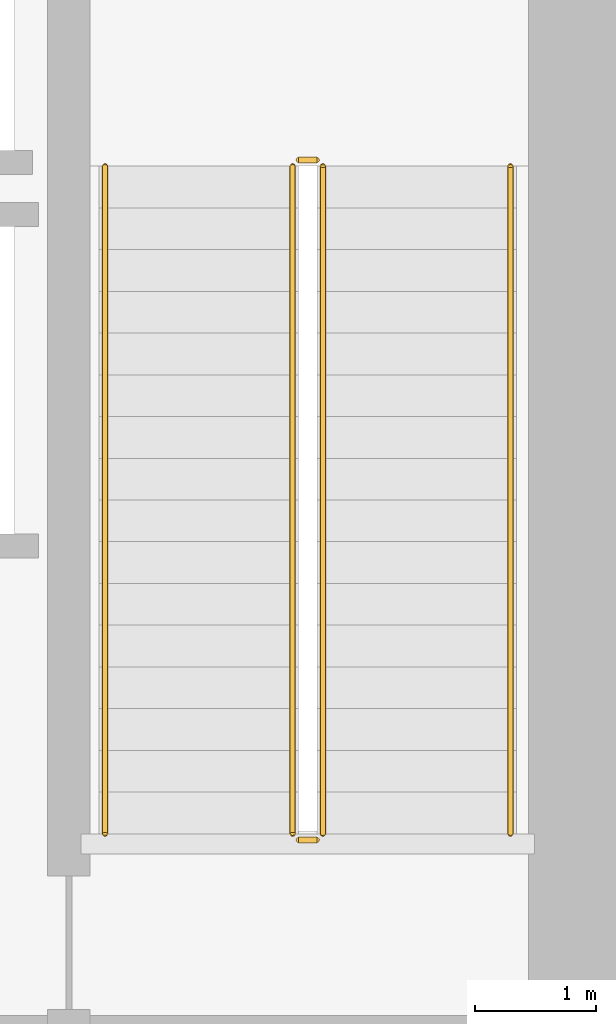
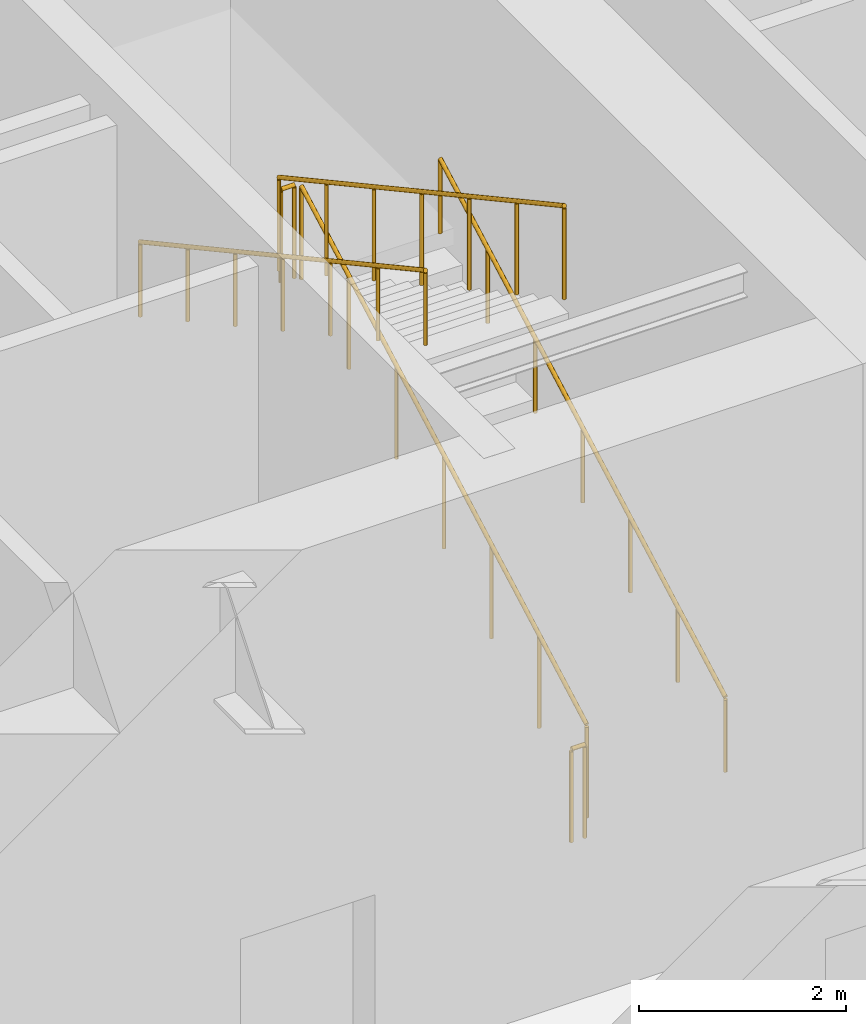
# One storey, part 48 of 50: 6 railings.
"""IFC4 building model written with IfcOpenShell, lengths in metres."""

from ifc_helpers import new_model, si_unit, direction, frame, origin, origin_2d, place, context, subcontext, project, spatial, circle, extrude, material, type_object, element, save


model = new_model("IFC4")

# Units and contexts
model_context = context("Model", 3, precision=1e-05, world=origin(), true_north=direction((0.0, 1.0)))
body_context = subcontext(model_context, "Body", "Model", "MODEL_VIEW")
ifc_project = project(units=[si_unit("LENGTHUNIT", "METRE"), si_unit("AREAUNIT", "SQUARE_METRE"), si_unit("VOLUMEUNIT", "CUBIC_METRE"), si_unit("PLANEANGLEUNIT", "RADIAN"), si_unit("MASSUNIT", "GRAM", prefix="KILO")], contexts=[model_context])

# Site, building, storey
site_placement = place(None, origin())
site = spatial("IfcSite", under=ifc_project, at=site_placement, CompositionType="ELEMENT")
building_placement = place(site_placement, origin())
building = spatial("IfcBuilding", under=site, at=building_placement, Name="Tolvann Quenvar Hotel", CompositionType="ELEMENT")
storey_placement = place(building_placement, frame((0.0, 0.0, 16.0)))
storey = spatial("IfcBuildingStorey", under=building, at=storey_placement, Name="L03", CompositionType="ELEMENT", Elevation=16.0)

# Railings
ifc_material = material(Name="Brushed 316 stainless steel balustrade and handrail", Category="steel")
railing_type_1 = type_object("IfcRailingType", Name="GUARDRAIL", PredefinedType="GUARDRAIL", material=ifc_material)
railing_1_placement = place(storey_placement, frame((33.800048828125, 34.0, 0.188232421875)))
element("IfcRailing", 1, at=railing_1_placement, inside=storey, type_object=railing_type_1, Name="L03 ST-C2 stair guard 1", PredefinedType="GUARDRAIL", context=body_context, shape_type="SweptSolid", body=[
    extrude(circle(Radius=0.02392578125, at=origin_2d()), frame((0.0, 0.0, 1.09619140625), z_axis=(0.0, 0.877842151624, 0.47895005672), x_axis=(-1.0, 0.0, 0.0)), (0.0, 0.0, 1.0), 6.2880859375),
    extrude(circle(Radius=0.02099609375, at=origin_2d()), origin(), (0.0, 0.0, 1.0), 1.072021484375),
    extrude(circle(Radius=0.02099609375, at=origin_2d()), frame((0.0, 0.919921875, 0.501953125)), (0.0, 0.0, 1.0), 1.072021484375),
    extrude(circle(Radius=0.02099609375, at=origin_2d()), frame((0.0, 1.840087890625, 1.00390625)), (0.0, 0.0, 1.0), 1.072021484375),
    extrude(circle(Radius=0.02099609375, at=origin_2d()), frame((0.0, 2.760009765625, 1.505859375)), (0.0, 0.0, 1.0), 1.072021484375),
    extrude(circle(Radius=0.02099609375, at=origin_2d()), frame((0.0, 3.679931640625, 2.0078125)), (0.0, 0.0, 1.0), 1.072021484375),
    extrude(circle(Radius=0.02099609375, at=origin_2d()), frame((0.0, 4.60009765625, 2.509765625)), (0.0, 0.0, 1.0), 1.072021484375),
    extrude(circle(Radius=0.02099609375, at=origin_2d()), frame((0.0, 5.52001953125, 3.01171875)), (0.0, 0.0, 1.0), 1.072021484375),
])
railing_2_placement = place(storey_placement, frame((33.75, 39.570068359375, 3.199951171875)))
element("IfcRailing", 2, at=railing_2_placement, inside=storey, type_object=railing_type_1, Name="L03 ST-C2 stair guard 2", PredefinedType="GUARDRAIL", context=body_context, shape_type="SweptSolid", body=[
    extrude(circle(Radius=0.02392578125, at=origin_2d()), frame((0.0, 0.0, 1.09619140625), z_axis=(-1.0, 0.0, 0.0), x_axis=(0.0, -1.0, 0.0)), (0.0, 0.0, 1.0), 0.14990234375),
    extrude(circle(Radius=0.02099609375, at=origin_2d()), origin(), (0.0, 0.0, 1.0), 1.072021484375),
    extrude(circle(Radius=0.02099609375, at=origin_2d()), frame((-0.14990234375, 0.0, 0.0)), (0.0, 0.0, 1.0), 1.072021484375),
])
railing_3_placement = place(storey_placement, frame((33.550048828125, 39.52001953125, 3.38818359375)))
element("IfcRailing", 3, at=railing_3_placement, inside=storey, type_object=railing_type_1, Name="L03 ST-C2 stair guard 3", PredefinedType="GUARDRAIL", context=body_context, shape_type="SweptSolid", body=[
    extrude(circle(Radius=0.02392578125, at=origin_2d()), frame((0.0, 0.0, 1.09619140625), z_axis=(0.0, -0.877842151624, 0.47895005672), x_axis=(1.0, 0.0, 0.0)), (0.0, 0.0, 1.0), 6.2880859375),
    extrude(circle(Radius=0.02099609375, at=origin_2d()), origin(), (0.0, 0.0, 1.0), 1.072021484375),
    extrude(circle(Radius=0.02099609375, at=origin_2d()), frame((0.0, -0.919921875, 0.501953125)), (0.0, 0.0, 1.0), 1.072021484375),
    extrude(circle(Radius=0.02099609375, at=origin_2d()), frame((0.0, -1.840087890625, 1.00390625)), (0.0, 0.0, 1.0), 1.072021484375),
    extrude(circle(Radius=0.02099609375, at=origin_2d()), frame((0.0, -2.760009765625, 1.505859375)), (0.0, 0.0, 1.0), 1.072021484375),
    extrude(circle(Radius=0.02099609375, at=origin_2d()), frame((0.0, -3.679931640625, 2.0078125)), (0.0, 0.0, 1.0), 1.072021484375),
    extrude(circle(Radius=0.02099609375, at=origin_2d()), frame((0.0, -4.60009765625, 2.509765625)), (0.0, 0.0, 1.0), 1.072021484375),
    extrude(circle(Radius=0.02099609375, at=origin_2d()), frame((0.0, -5.52001953125, 3.01171875)), (0.0, 0.0, 1.0), 1.072021484375),
])
railing_4_placement = place(storey_placement, frame((33.75, 33.949951171875, 0.0)))
element("IfcRailing", 4, at=railing_4_placement, inside=storey, type_object=railing_type_1, Name="L03 ST-C2 stair guard 4", PredefinedType="GUARDRAIL", context=body_context, shape_type="SweptSolid", body=[
    extrude(circle(Radius=0.02392578125, at=origin_2d()), frame((0.0, 0.0, 1.09619140625), z_axis=(-1.0, 0.0, 0.0), x_axis=(0.0, -1.0, 0.0)), (0.0, 0.0, 1.0), 0.14990234375),
    extrude(circle(Radius=0.02099609375, at=origin_2d()), origin(), (0.0, 0.0, 1.0), 1.072021484375),
    extrude(circle(Radius=0.02099609375, at=origin_2d()), frame((-0.14990234375, 0.0, 0.0)), (0.0, 0.0, 1.0), 1.072021484375),
])
railing_type_2 = type_object("IfcRailingType", Name="HANDRAIL", PredefinedType="HANDRAIL", material=ifc_material)
railing_5_placement = place(storey_placement, frame((35.35009765625, 34.0, 0.188232421875)))
element("IfcRailing", 5, at=railing_5_placement, inside=storey, type_object=railing_type_2, Name="L03 ST-C2 stair handrail 1", PredefinedType="HANDRAIL", context=body_context, shape_type="SweptSolid", body=[
    extrude(circle(Radius=0.02392578125, at=origin_2d()), frame((0.0, 0.0, 0.8759765625), z_axis=(0.0, 0.877842151624, 0.47895005672), x_axis=(-1.0, 0.0, 0.0)), (0.0, 0.0, 1.0), 6.2880859375),
    extrude(circle(Radius=0.02099609375, at=origin_2d()), origin(), (0.0, 0.0, 1.0), 0.851806640625),
    extrude(circle(Radius=0.02099609375, at=origin_2d()), frame((0.0, 0.919921875, 0.501953125)), (0.0, 0.0, 1.0), 0.851806640625),
    extrude(circle(Radius=0.02099609375, at=origin_2d()), frame((0.0, 1.840087890625, 1.00390625)), (0.0, 0.0, 1.0), 0.851806640625),
    extrude(circle(Radius=0.02099609375, at=origin_2d()), frame((0.0, 2.760009765625, 1.505859375)), (0.0, 0.0, 1.0), 0.851806640625),
    extrude(circle(Radius=0.02099609375, at=origin_2d()), frame((0.0, 3.679931640625, 2.0078125)), (0.0, 0.0, 1.0), 0.851806640625),
    extrude(circle(Radius=0.02099609375, at=origin_2d()), frame((0.0, 4.60009765625, 2.509765625)), (0.0, 0.0, 1.0), 0.851806640625),
    extrude(circle(Radius=0.02099609375, at=origin_2d()), frame((0.0, 5.52001953125, 3.01171875)), (0.0, 0.0, 1.0), 0.851806640625),
])
railing_6_placement = place(storey_placement, frame((32.0, 39.52001953125, 3.38818359375)))
element("IfcRailing", 6, at=railing_6_placement, inside=storey, type_object=railing_type_2, Name="L03 ST-C2 stair handrail 2", PredefinedType="HANDRAIL", context=body_context, shape_type="SweptSolid", body=[
    extrude(circle(Radius=0.02392578125, at=origin_2d()), frame((0.0, 0.0, 0.8759765625), z_axis=(0.0, -0.877842151624, 0.47895005672), x_axis=(1.0, 0.0, 0.0)), (0.0, 0.0, 1.0), 6.2880859375),
    extrude(circle(Radius=0.02099609375, at=origin_2d()), origin(), (0.0, 0.0, 1.0), 0.851806640625),
    extrude(circle(Radius=0.02099609375, at=origin_2d()), frame((0.0, -0.919921875, 0.501953125)), (0.0, 0.0, 1.0), 0.851806640625),
    extrude(circle(Radius=0.02099609375, at=origin_2d()), frame((0.0, -1.840087890625, 1.00390625)), (0.0, 0.0, 1.0), 0.851806640625),
    extrude(circle(Radius=0.02099609375, at=origin_2d()), frame((0.0, -2.760009765625, 1.505859375)), (0.0, 0.0, 1.0), 0.851806640625),
    extrude(circle(Radius=0.02099609375, at=origin_2d()), frame((0.0, -3.679931640625, 2.0078125)), (0.0, 0.0, 1.0), 0.851806640625),
    extrude(circle(Radius=0.02099609375, at=origin_2d()), frame((0.0, -4.60009765625, 2.509765625)), (0.0, 0.0, 1.0), 0.851806640625),
    extrude(circle(Radius=0.02099609375, at=origin_2d()), frame((0.0, -5.52001953125, 3.01171875)), (0.0, 0.0, 1.0), 0.851806640625),
])

save(model, "model.ifc")
